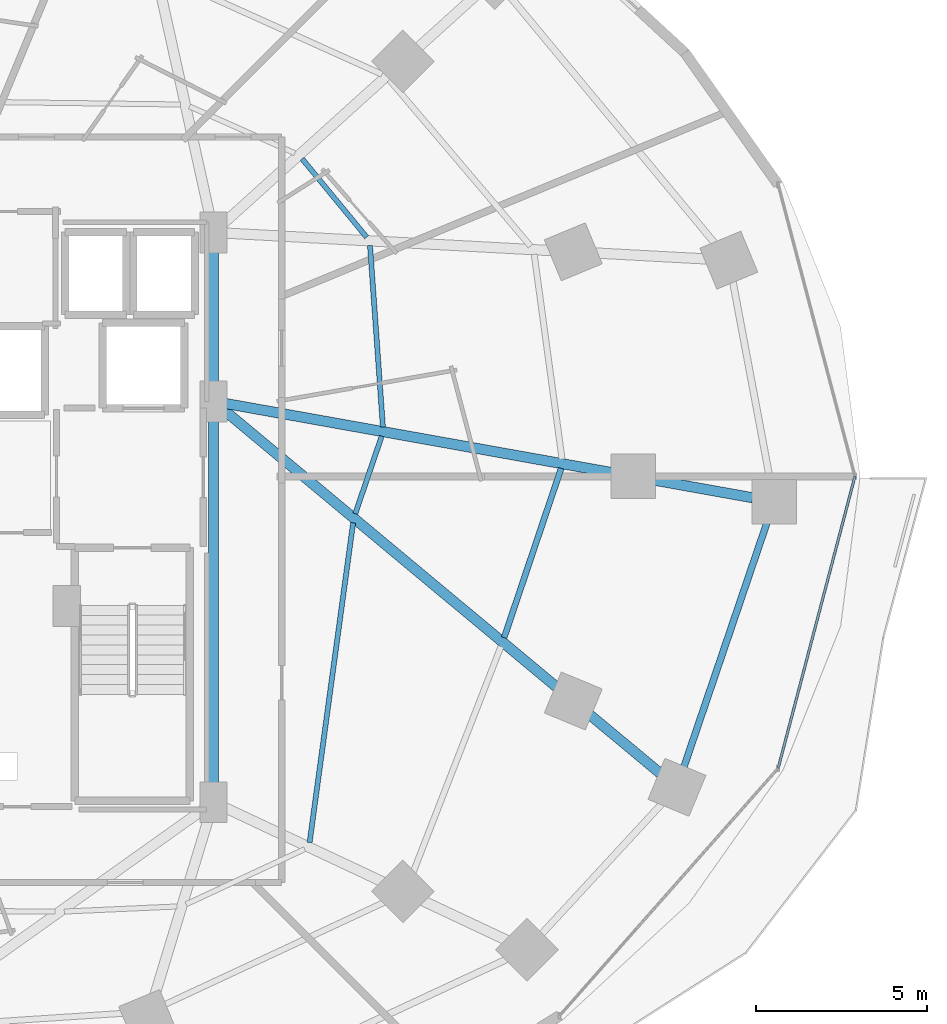
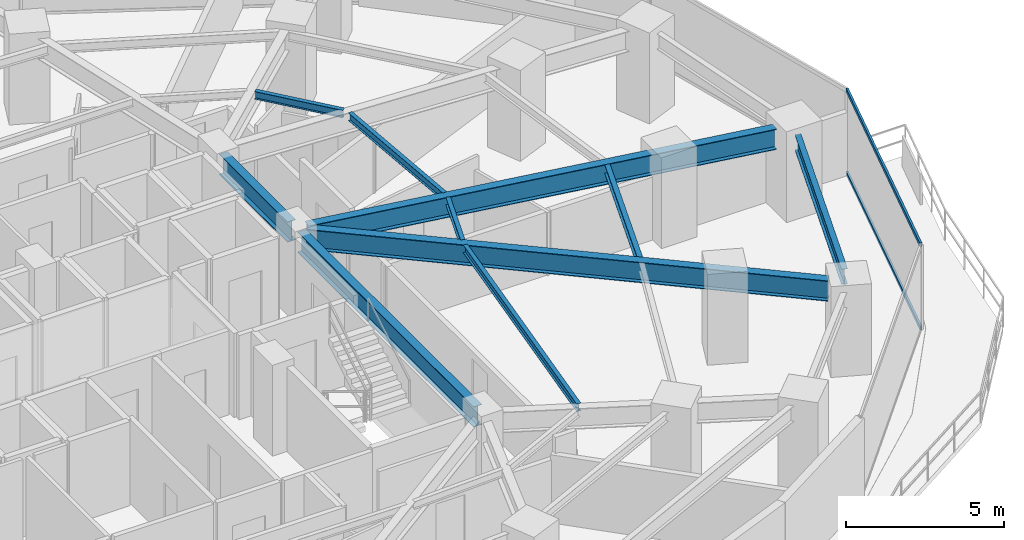
# One storey, part 15 of 34: 10 beams, 2 members, 1 element without a shape of its own.
"""IFC4 building model written with IfcOpenShell, lengths in metres."""

from ifc_helpers import new_model, si_unit, direction, frame, origin, origin_2d, place, context, subcontext, project, spatial, hollow_rectangle, i_section, extrude, material, material_profile, profile_set, type_object, element, aggregate, save


model = new_model("IFC4")

# Units and contexts
model_context = context("Model", 3, precision=1e-05, world=origin(), true_north=direction((0.0, 1.0)))
body_context = subcontext(model_context, "Body", "Model", "MODEL_VIEW")
ifc_project = project(units=[si_unit("LENGTHUNIT", "METRE"), si_unit("AREAUNIT", "SQUARE_METRE"), si_unit("VOLUMEUNIT", "CUBIC_METRE"), si_unit("PLANEANGLEUNIT", "RADIAN"), si_unit("MASSUNIT", "GRAM", prefix="KILO")], contexts=[model_context])

# Site, building, storey
site_placement = place(None, origin())
site = spatial("IfcSite", under=ifc_project, at=site_placement, CompositionType="ELEMENT")
building_placement = place(site_placement, origin())
building = spatial("IfcBuilding", under=site, at=building_placement, Name="Vorneva Point Tower", CompositionType="ELEMENT")
storey_placement = place(building_placement, frame((0.0, 0.0, 27.5)))
storey = spatial("IfcBuildingStorey", under=building, at=storey_placement, Name="L06", CompositionType="ELEMENT", Elevation=27.5)

# Beams
ifc_material_1 = material(Name="Steel S355", Category="steel")
ifc_material_profile_1 = material_profile(ifc_material_1, i_section(OverallWidth=0.300048828125, OverallDepth=0.7880859375, WebThickness=0.014404296875, FlangeThickness=0.02197265625, at=origin_2d()), Name="80Sh1")
ifc_profile_set_1 = profile_set([ifc_material_profile_1], Name="Steel S355")
beam_type_1 = type_object("IfcBeamType", Name="BM-GRD-80Sh1", PredefinedType="USERDEFINED", material=ifc_profile_set_1)
beam_1_placement = place(storey_placement, frame((64.55419921875, 25.373291015625, 2.845947265625), z_axis=(-0.984378664832, 0.176064318428, 0.0), x_axis=(-0.176064318428, -0.984378664832, 0.0)))
element("IfcBeam", 1, at=beam_1_placement, inside=storey, type_object=beam_type_1, Name="L06 Radial Primary Girder 01", ObjectType="GIRDER", PredefinedType="USERDEFINED", context=body_context, shape_type="SweptSolid", body=[
    extrude(i_section(OverallWidth=0.300048828125, OverallDepth=0.7880859375, WebThickness=0.014404296875, FlangeThickness=0.02197265625, at=origin_2d()), origin(), (0.0, 0.0, 1.0), 15.715087890625),
])
beam_2_placement = place(storey_placement, frame((61.844482421875, 17.294921875, 2.845947265625), z_axis=(-0.76842374394, 0.639941364306, 0.0), x_axis=(-0.639941364306, -0.76842374394, 0.0)))
element("IfcBeam", 2, at=beam_2_placement, inside=storey, type_object=beam_type_1, Name="L06 Radial Primary Girder 16", ObjectType="GIRDER", PredefinedType="USERDEFINED", context=body_context, shape_type="SweptSolid", body=[
    extrude(i_section(OverallWidth=0.300048828125, OverallDepth=0.7880859375, WebThickness=0.014404296875, FlangeThickness=0.02197265625, at=origin_2d()), origin(), (0.0, 0.0, 1.0), 16.70068359375),
])
beam_3_placement = place(storey_placement, frame((48.75, 16.77001953125, 2.845947265625), z_axis=(0.0, 1.0, 0.0), x_axis=(-1.0, 0.0, 0.0)))
element("IfcBeam", 3, at=beam_3_placement, inside=storey, type_object=beam_type_1, Name="L06 Core Tie Girder CT3", ObjectType="GIRDER", PredefinedType="USERDEFINED", context=body_context, shape_type="SweptSolid", body=[
    extrude(i_section(OverallWidth=0.300048828125, OverallDepth=0.7880859375, WebThickness=0.014404296875, FlangeThickness=0.02197265625, at=origin_2d()), origin(), (0.0, 0.0, 1.0), 11.10986328125),
])
beam_4_placement = place(storey_placement, frame((48.75, 28.52001953125, 2.845947265625), z_axis=(0.0, 1.0, 0.0), x_axis=(-1.0, 0.0, 0.0)))
element("IfcBeam", 4, at=beam_4_placement, inside=storey, type_object=beam_type_1, Name="L06 Core Tie Girder CT4", ObjectType="GIRDER", PredefinedType="USERDEFINED", context=body_context, shape_type="SweptSolid", body=[
    extrude(i_section(OverallWidth=0.300048828125, OverallDepth=0.7880859375, WebThickness=0.014404296875, FlangeThickness=0.02197265625, at=origin_2d()), origin(), (0.0, 0.0, 1.0), 4.31005859375),
])
ifc_material_profile_2 = material_profile(ifc_material_1, i_section(OverallWidth=0.14892578125, OverallDepth=0.298095703125, WebThickness=0.005615234375, FlangeThickness=0.008056640625, at=origin_2d()), Name="30B1")
ifc_profile_set_2 = profile_set([ifc_material_profile_2], Name="Steel S355")
beam_type_2 = type_object("IfcBeamType", Name="BM-JST-30B1", PredefinedType="JOIST", material=ifc_profile_set_2)
beam_5_placement = place(storey_placement, frame((53.7158203125, 27.44775390625, 3.091064453125), z_axis=(-0.07093138568, 0.997481197079, 0.0), x_axis=(-0.997481197079, -0.07093138568, 0.0)))
element("IfcBeam", 5, at=beam_5_placement, inside=storey, type_object=beam_type_2, Name="L06 Secondary Floor Beam 2.01", PredefinedType="JOIST", context=body_context, shape_type="SweptSolid", body=[
    extrude(i_section(OverallWidth=0.14892578125, OverallDepth=0.298095703125, WebThickness=0.005615234375, FlangeThickness=0.008056640625, at=origin_2d()), origin(), (0.0, 0.0, 1.0), 5.33154296875),
])
beam_6_placement = place(storey_placement, frame((53.239990234375, 33.010009765625, 3.091064453125), z_axis=(-0.635667033384, 0.771963355781, 0.0), x_axis=(-0.771963355781, -0.635667033384, 0.0)))
element("IfcBeam", 6, at=beam_6_placement, inside=storey, type_object=beam_type_2, Name="L06 Secondary Floor Beam 2.02", PredefinedType="JOIST", context=body_context, shape_type="SweptSolid", body=[
    extrude(i_section(OverallWidth=0.14892578125, OverallDepth=0.298095703125, WebThickness=0.005615234375, FlangeThickness=0.008056640625, at=origin_2d()), origin(), (0.0, 0.0, 1.0), 2.978759765625),
])
beam_7_placement = place(storey_placement, frame((51.5673828125, 15.26904296875, 3.091064453125), z_axis=(0.13486550853, 0.990863913264, 0.0), x_axis=(-0.990863913264, 0.13486550853, 0.0)))
element("IfcBeam", 7, at=beam_7_placement, inside=storey, type_object=beam_type_2, Name="L06 Secondary Floor Beam 2.15", PredefinedType="JOIST", context=body_context, shape_type="SweptSolid", body=[
    extrude(i_section(OverallWidth=0.14892578125, OverallDepth=0.298095703125, WebThickness=0.005615234375, FlangeThickness=0.008056640625, at=origin_2d()), origin(), (0.0, 0.0, 1.0), 9.456787109375),
])
beam_8_placement = place(storey_placement, frame((52.90576171875, 24.90673828125, 3.091064453125), z_axis=(0.322808483442, 0.946464306257, 0.0), x_axis=(-0.946464306257, 0.322808483442, 0.0)))
element("IfcBeam", 8, at=beam_8_placement, inside=storey, type_object=beam_type_2, Name="L06 Secondary Floor Beam 2.16", PredefinedType="JOIST", context=body_context, shape_type="SweptSolid", body=[
    extrude(i_section(OverallWidth=0.14892578125, OverallDepth=0.298095703125, WebThickness=0.005615234375, FlangeThickness=0.008056640625, at=origin_2d()), origin(), (0.0, 0.0, 1.0), 2.4013671875),
])
ifc_material_profile_3 = material_profile(ifc_material_1, i_section(OverallWidth=0.174072265625, OverallDepth=0.345947265625, WebThickness=0.006103515625, FlangeThickness=0.009033203125, at=origin_2d()), Name="35B1")
ifc_profile_set_3 = profile_set([ifc_material_profile_3], Name="Steel S355")
beam_type_3 = type_object("IfcBeamType", Name="BM-SEC-35B1", PredefinedType="BEAM", material=ifc_profile_set_3)
beam_9_placement = place(storey_placement, frame((57.268798828125, 21.273193359375, 3.06689453125), z_axis=(0.319189795447, 0.947690811648, 0.0), x_axis=(-0.947690811648, 0.319189795447, 0.0)))
element("IfcBeam", 9, at=beam_9_placement, inside=storey, type_object=beam_type_3, Name="L06 Secondary Floor Beam 1.16", PredefinedType="BEAM", context=body_context, shape_type="SweptSolid", body=[
    extrude(i_section(OverallWidth=0.174072265625, OverallDepth=0.345947265625, WebThickness=0.006103515625, FlangeThickness=0.009033203125, at=origin_2d()), origin(), (0.0, 0.0, 1.0), 5.239501953125),
])
ifc_material_profile_4 = material_profile(ifc_material_1, i_section(OverallWidth=0.198974609375, OverallDepth=0.595947265625, WebThickness=0.010009765625, FlangeThickness=0.014892578125, at=origin_2d()), Name="60B1")
ifc_profile_set_4 = profile_set([ifc_material_profile_4], Name="Steel S355")
beam_type_4 = type_object("IfcBeamType", Name="BM-SPN-60B1", PredefinedType="SPANDREL", material=ifc_profile_set_4)
beam_10_placement = place(storey_placement, frame((62.539306640625, 17.48779296875, 2.94189453125), z_axis=(0.321907355596, 0.946771173206, 0.0), x_axis=(-0.946771173206, 0.321907355596, 0.0)))
element("IfcBeam", 10, at=beam_10_placement, inside=storey, type_object=beam_type_4, Name="L06 Perimeter Spandrel Ring Beam 16", PredefinedType="SPANDREL", context=body_context, shape_type="SweptSolid", body=[
    extrude(i_section(OverallWidth=0.198974609375, OverallDepth=0.595947265625, WebThickness=0.010009765625, FlangeThickness=0.014892578125, at=origin_2d()), origin(), (0.0, 0.0, 1.0), 7.5751953125),
])

# Curtain wall, members
ifc_material_2 = material(Name="Pale anodised aluminium", Category="aluminium")
curtain_wall_type = type_object("IfcCurtainWallType", Name="CW-HTL-SYS", PredefinedType="NOTDEFINED", material=ifc_material_2)
curtain_wall_placement = place(storey_placement, origin())
curtain_wall = element("IfcCurtainWall", 11, at=curtain_wall_placement, inside=storey, type_object=curtain_wall_type, Name="L06 Unitised Curtain Wall CW-L06-R01", PredefinedType="NOTDEFINED")
ifc_material_profile_5 = material_profile(ifc_material_2, hollow_rectangle(XDim=0.074951171875, YDim=0.14990234375, WallThickness=0.00390625, at=origin_2d()), Name="AL-TRN 150x75x4")
ifc_profile_set_5 = profile_set([ifc_material_profile_5], Name="Pale anodised aluminium")
member_type = type_object("IfcMemberType", Name="CW-TRN-150", PredefinedType="USERDEFINED", material=ifc_profile_set_5)
member_1_placement = place(storey_placement, frame((65.300537109375, 17.447021484375, 0.02001953125), z_axis=(0.254358772746, 0.967109928978, 0.0), x_axis=(-0.967109928978, 0.254358772746, 0.0)))
member_1 = element("IfcMember", 12, at=member_1_placement, type_object=member_type, Name="CW-L06-R01 Transom 02.1", ObjectType="TRANSOM", PredefinedType="USERDEFINED", context=body_context, shape_type="SweptSolid", body=[
    extrude(hollow_rectangle(XDim=0.074951171875, YDim=0.14990234375, WallThickness=0.00390625, at=origin_2d()), origin(), (0.0, 0.0, 1.0), 8.84375),
])
member_2_placement = place(storey_placement, frame((65.300537109375, 17.447021484375, 3.219970703125), z_axis=(0.254358772746, 0.967109928978, 0.0), x_axis=(-0.967109928978, 0.254358772746, 0.0)))
member_2 = element("IfcMember", 13, at=member_2_placement, type_object=member_type, Name="CW-L06-R01 Transom 02.2", ObjectType="TRANSOM", PredefinedType="USERDEFINED", context=body_context, shape_type="SweptSolid", body=[
    extrude(hollow_rectangle(XDim=0.074951171875, YDim=0.14990234375, WallThickness=0.00390625, at=origin_2d()), origin(), (0.0, 0.0, 1.0), 8.84375),
])
aggregate(curtain_wall, [member_1, member_2])

save(model, "model.ifc")
